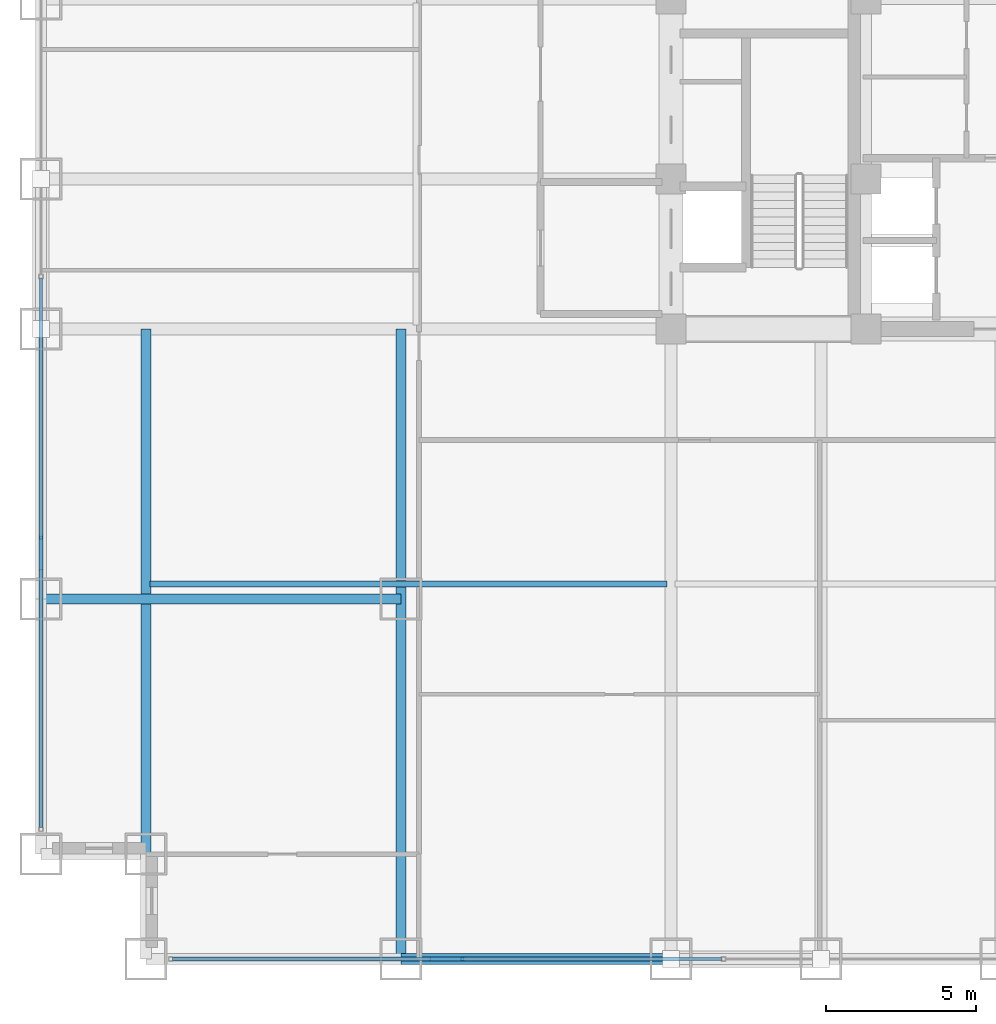
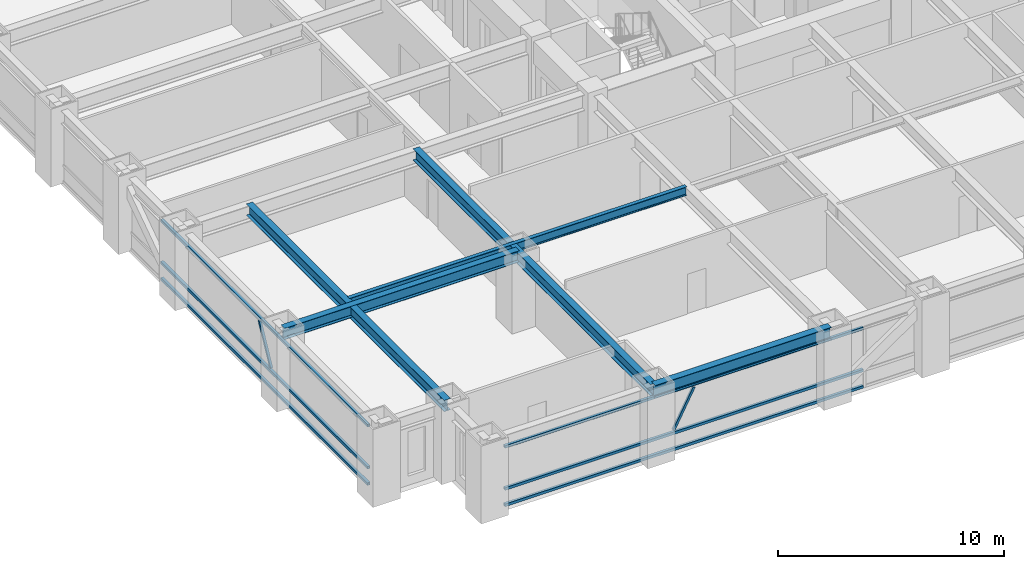
# One storey, part 3 of 28: 8 members, 5 beams, 2 elements without a shape of their own.
"""IFC4 building model written with IfcOpenShell, lengths in metres."""

from ifc_helpers import new_model, si_unit, direction, frame, origin, origin_2d, place, context, subcontext, project, spatial, hollow_rectangle, i_section, extrude, source, transform, mapped, material, material_profile, profile_set, type_object, element, aggregate, save


model = new_model("IFC4")

# Units and contexts
model_context = context("Model", 3, precision=1e-05, world=origin(), true_north=direction((0.0, 1.0)))
body_context = subcontext(model_context, "Body", "Model", "MODEL_VIEW")
ifc_project = project(units=[si_unit("LENGTHUNIT", "METRE"), si_unit("AREAUNIT", "SQUARE_METRE"), si_unit("VOLUMEUNIT", "CUBIC_METRE"), si_unit("PLANEANGLEUNIT", "RADIAN"), si_unit("MASSUNIT", "GRAM", prefix="KILO")], contexts=[model_context])

# Site, building, storey
site_placement = place(None, origin())
site = spatial("IfcSite", under=ifc_project, at=site_placement, CompositionType="ELEMENT")
building_placement = place(site_placement, origin())
building = spatial("IfcBuilding", under=site, at=building_placement, Name="Khorayat Bourse Tower", CompositionType="ELEMENT")
storey_placement = place(building_placement, frame((0.0, 0.0, 62.0)))
storey = spatial("IfcBuildingStorey", under=building, at=storey_placement, Name="L13", CompositionType="ELEMENT", Elevation=62.0)

# Beams
ifc_material_1 = material(Name="Steel ASTM A992 Grade 50", Category="steel")
ifc_material_profile_1 = material_profile(ifc_material_1, i_section(OverallWidth=0.35498046875, OverallDepth=0.695068359375, WebThickness=0.015380859375, FlangeThickness=0.02490234375, FilletRadius=0.01806640625, at=origin_2d()), Name="W690X217")
ifc_profile_set_1 = profile_set([ifc_material_profile_1], Name="Steel ASTM A992 Grade 50")
beam_type_1 = type_object("IfcBeamType", Name="BM-SPAN-690", PredefinedType="SPANDREL", material=ifc_profile_set_1)
shared_shape_1 = source(origin(), body_context, "Body", "SweptSolid", [
    extrude(i_section(OverallWidth=0.35498046875, OverallDepth=0.695068359375, WebThickness=0.015380859375, FlangeThickness=0.02490234375, FilletRadius=0.01806640625, at=origin_2d()), origin(), (0.0, 0.0, 1.0), 9.0),
])
beam_1_placement = place(storey_placement, frame((-20.0, -32.0, 3.592529296875), z_axis=(1.0, 0.0, 0.0), x_axis=(0.0, 1.0, 0.0)))
element("IfcBeam", 1, at=beam_1_placement, inside=storey, type_object=beam_type_1, Name="L13 BM-SPAN-690 BM-L13-SPN-025", PredefinedType="SPANDREL", context=body_context, shape_type="MappedRepresentation", body=[
    mapped(shared_shape_1, transform((0.0, 0.0, 0.0), scale=1.0)),
])
ifc_material_profile_2 = material_profile(ifc_material_1, i_section(OverallWidth=0.324951171875, OverallDepth=0.615966796875, WebThickness=0.013916015625, FlangeThickness=0.021484375, FilletRadius=0.01611328125, at=origin_2d()), Name="W610X174")
ifc_profile_set_2 = profile_set([ifc_material_profile_2], Name="Steel ASTM A992 Grade 50")
beam_type_2 = type_object("IfcBeamType", Name="BM-GIRD-610", PredefinedType="BEAM", material=ifc_profile_set_2)
shared_shape_2 = source(origin(), body_context, "Body", "SweptSolid", [
    extrude(i_section(OverallWidth=0.324951171875, OverallDepth=0.615966796875, WebThickness=0.013916015625, FlangeThickness=0.021484375, FilletRadius=0.01611328125, at=origin_2d()), origin(), (0.0, 0.0, 1.0), 21.0),
])
beam_2_placement = place(storey_placement, frame((-20.0, -32.0, 3.632080078125), z_axis=(0.0, 1.0, 0.0), x_axis=(-1.0, 0.0, 0.0)))
element("IfcBeam", 2, at=beam_2_placement, inside=storey, type_object=beam_type_2, Name="L13 BM-GIRD-610 BM-L13-CNRY-084", PredefinedType="BEAM", context=body_context, shape_type="MappedRepresentation", body=[
    mapped(shared_shape_2, transform((0.0, 0.0, 0.0), scale=1.0)),
])
shared_shape_3 = source(origin(), body_context, "Body", "SweptSolid", [
    extrude(i_section(OverallWidth=0.324951171875, OverallDepth=0.615966796875, WebThickness=0.013916015625, FlangeThickness=0.021484375, FilletRadius=0.01611328125, at=origin_2d()), origin(), (0.0, 0.0, 1.0), 17.5),
])
beam_3_placement = place(storey_placement, frame((-28.5, -28.5, 3.632080078125), z_axis=(0.0, 1.0, 0.0), x_axis=(-1.0, 0.0, 0.0)))
element("IfcBeam", 3, at=beam_3_placement, inside=storey, type_object=beam_type_2, Name="L13 BM-GIRD-610 BM-L13-CNRY-088", PredefinedType="BEAM", context=body_context, shape_type="MappedRepresentation", body=[
    mapped(shared_shape_3, transform((0.0, 0.0, 0.0), scale=1.0)),
])
shared_shape_4 = source(origin(), body_context, "Body", "SweptSolid", [
    extrude(i_section(OverallWidth=0.324951171875, OverallDepth=0.615966796875, WebThickness=0.013916015625, FlangeThickness=0.021484375, FilletRadius=0.01611328125, at=origin_2d()), origin(), (0.0, 0.0, 1.0), 12.0),
])
beam_4_placement = place(storey_placement, frame((-32.0, -20.0, 3.632080078125), z_axis=(1.0, 0.0, 0.0), x_axis=(0.0, 1.0, 0.0)))
element("IfcBeam", 4, at=beam_4_placement, inside=storey, type_object=beam_type_2, Name="L13 BM-GIRD-610 BM-L13-CNRX-093", PredefinedType="BEAM", context=body_context, shape_type="MappedRepresentation", body=[
    mapped(shared_shape_4, transform((0.0, 0.0, 0.0), scale=1.0)),
])
ifc_material_profile_3 = material_profile(ifc_material_1, i_section(OverallWidth=0.194091796875, OverallDepth=0.468994140625, WebThickness=0.0126953125, FlangeThickness=0.0205078125, FilletRadius=0.012939453125, at=origin_2d()), Name="W460X106")
ifc_profile_set_3 = profile_set([ifc_material_profile_3], Name="Steel ASTM A992 Grade 50")
beam_type_3 = type_object("IfcBeamType", Name="BM-JOIST-460", PredefinedType="JOIST", material=ifc_profile_set_3)
shared_shape_5 = source(origin(), body_context, "Body", "SweptSolid", [
    extrude(i_section(OverallWidth=0.194091796875, OverallDepth=0.468994140625, WebThickness=0.0126953125, FlangeThickness=0.0205078125, FilletRadius=0.012939453125, at=origin_2d()), origin(), (0.0, 0.0, 1.0), 17.240234375),
])
beam_5_placement = place(storey_placement, frame((-28.3701171875, -19.5, 3.70556640625), z_axis=(1.0, 0.0, 0.0), x_axis=(0.0, 1.0, 0.0)))
element("IfcBeam", 5, at=beam_5_placement, inside=storey, type_object=beam_type_3, Name="L13 BM-JOIST-460 BM-L13-JSTX-096", PredefinedType="JOIST", context=body_context, shape_type="MappedRepresentation", body=[
    mapped(shared_shape_5, transform((0.0, 0.0, 0.0), scale=1.0)),
])

# Curtain wall, members
ifc_material_2 = material(Name="Aluminium EN AW-6063 T6", Category="aluminium")
curtain_wall_type = type_object("IfcCurtainWallType", Name="CW-SYS-02", PredefinedType="NOTDEFINED", material=ifc_material_2)
curtain_wall_1_placement = place(storey_placement, origin())
curtain_wall_1 = element("IfcCurtainWall", 6, at=curtain_wall_1_placement, inside=storey, type_object=curtain_wall_type, Name="L13 Curtain Wall CW-L13-S1", PredefinedType="NOTDEFINED")
ifc_material_profile_4 = material_profile(ifc_material_2, hollow_rectangle(XDim=0.139892578125, YDim=0.139892578125, WallThickness=0.006103515625, at=origin_2d()), Name="ALU 140x140x6")
ifc_profile_set_4 = profile_set([ifc_material_profile_4], Name="Aluminium EN AW-6063 T6")
member_type_1 = type_object("IfcMemberType", Name="CWT-HORZ-140", PredefinedType="USERDEFINED", material=ifc_profile_set_4)
shared_shape_6 = source(origin(), body_context, "Body", "SweptSolid", [
    extrude(hollow_rectangle(XDim=0.139892578125, YDim=0.139892578125, WallThickness=0.006103515625, at=origin_2d()), origin(), (0.0, 0.0, 1.0), 18.2900390625),
])
member_1_placement = place(storey_placement, frame((-27.610107421875, -32.0, 0.070068359375), z_axis=(1.0, 0.0, 0.0), x_axis=(0.0, 1.0, 0.0)))
member_1 = element("IfcMember", 7, at=member_1_placement, type_object=member_type_1, Name="CW-L13-S1 Horizontal Transom 1-1", ObjectType="TRANSOM", PredefinedType="USERDEFINED", context=body_context, shape_type="MappedRepresentation", body=[
    mapped(shared_shape_6, transform((0.0, 0.0, 0.0), scale=1.0)),
])
member_2_placement = place(storey_placement, frame((-27.610107421875, -32.0, 0.949951171875), z_axis=(1.0, 0.0, 0.0), x_axis=(0.0, 1.0, 0.0)))
member_2 = element("IfcMember", 8, at=member_2_placement, type_object=member_type_1, Name="CW-L13-S1 Horizontal Transom 1-2", ObjectType="TRANSOM", PredefinedType="USERDEFINED", context=body_context, shape_type="MappedRepresentation", body=[
    mapped(shared_shape_6, transform((0.0, 0.0, 0.0), scale=1.0)),
])
member_3_placement = place(storey_placement, frame((-27.610107421875, -32.0, 3.219970703125), z_axis=(1.0, 0.0, 0.0), x_axis=(0.0, 1.0, 0.0)))
member_3 = element("IfcMember", 9, at=member_3_placement, type_object=member_type_1, Name="CW-L13-S1 Horizontal Transom 1-3", ObjectType="TRANSOM", PredefinedType="USERDEFINED", context=body_context, shape_type="MappedRepresentation", body=[
    mapped(shared_shape_6, transform((0.0, 0.0, 0.0), scale=1.0)),
])

curtain_wall_2_placement = place(storey_placement, origin())
curtain_wall_2 = element("IfcCurtainWall", 10, at=curtain_wall_2_placement, inside=storey, type_object=curtain_wall_type, Name="L13 Curtain Wall CW-L13-W1", PredefinedType="NOTDEFINED")
member_4_placement = place(storey_placement, frame((-32.0, -27.610107421875, 0.070068359375), z_axis=(0.0, 1.0, 0.0), x_axis=(-1.0, 0.0, 0.0)))
member_4 = element("IfcMember", 11, at=member_4_placement, type_object=member_type_1, Name="CW-L13-W1 Horizontal Transom 1-1", ObjectType="TRANSOM", PredefinedType="USERDEFINED", context=body_context, shape_type="MappedRepresentation", body=[
    mapped(shared_shape_6, transform((0.0, 0.0, 0.0), scale=1.0)),
])
member_5_placement = place(storey_placement, frame((-32.0, -27.610107421875, 0.949951171875), z_axis=(0.0, 1.0, 0.0), x_axis=(-1.0, 0.0, 0.0)))
member_5 = element("IfcMember", 12, at=member_5_placement, type_object=member_type_1, Name="CW-L13-W1 Horizontal Transom 1-2", ObjectType="TRANSOM", PredefinedType="USERDEFINED", context=body_context, shape_type="MappedRepresentation", body=[
    mapped(shared_shape_6, transform((0.0, 0.0, 0.0), scale=1.0)),
])
member_6_placement = place(storey_placement, frame((-32.0, -27.610107421875, 3.219970703125), z_axis=(0.0, 1.0, 0.0), x_axis=(-1.0, 0.0, 0.0)))
member_6 = element("IfcMember", 13, at=member_6_placement, type_object=member_type_1, Name="CW-L13-W1 Horizontal Transom 1-3", ObjectType="TRANSOM", PredefinedType="USERDEFINED", context=body_context, shape_type="MappedRepresentation", body=[
    mapped(shared_shape_6, transform((0.0, 0.0, 0.0), scale=1.0)),
])

# Member
ifc_material_profile_5 = material_profile(ifc_material_2, hollow_rectangle(XDim=0.1201171875, YDim=0.1201171875, WallThickness=0.0048828125, at=origin_2d()), Name="ALU 120x120x5")
ifc_profile_set_5 = profile_set([ifc_material_profile_5], Name="Aluminium EN AW-6063 T6")
member_type_2 = type_object("IfcMemberType", Name="CWM-DIAG-120", PredefinedType="MULLION", material=ifc_profile_set_5)
shared_shape_7 = source(origin(), body_context, "Body", "SweptSolid", [
    extrude(hollow_rectangle(XDim=0.1201171875, YDim=0.1201171875, WallThickness=0.0048828125, at=origin_2d()), origin(), (0.0, 0.0, 1.0), 2.22607421875),
])
member_7_placement = place(storey_placement, frame((-18.9833984375, -32.0, 1.10009765625), z_axis=(0.465759992596, 0.0, 0.884911085532), x_axis=(0.0, 1.0, 0.0)))
member_7 = element("IfcMember", 14, at=member_7_placement, type_object=member_type_2, Name="CW-L13-S1 Faceted Diagonal Mullion 1", PredefinedType="MULLION", context=body_context, shape_type="MappedRepresentation", body=[
    mapped(shared_shape_7, transform((0.0, 0.0, 0.0), scale=1.0)),
])

aggregate(curtain_wall_1, [member_1, member_2, member_3, member_7])

member_8_placement = place(storey_placement, frame((-32.0, -18.9833984375, 1.10009765625), z_axis=(0.0, 0.465759992596, 0.884911085532), x_axis=(-1.0, 0.0, 0.0)))
member_8 = element("IfcMember", 15, at=member_8_placement, type_object=member_type_2, Name="CW-L13-W1 Faceted Diagonal Mullion 1", PredefinedType="MULLION", context=body_context, shape_type="MappedRepresentation", body=[
    mapped(shared_shape_7, transform((0.0, 0.0, 0.0), scale=1.0)),
])

aggregate(curtain_wall_2, [member_4, member_5, member_6, member_8])

save(model, "model.ifc")
